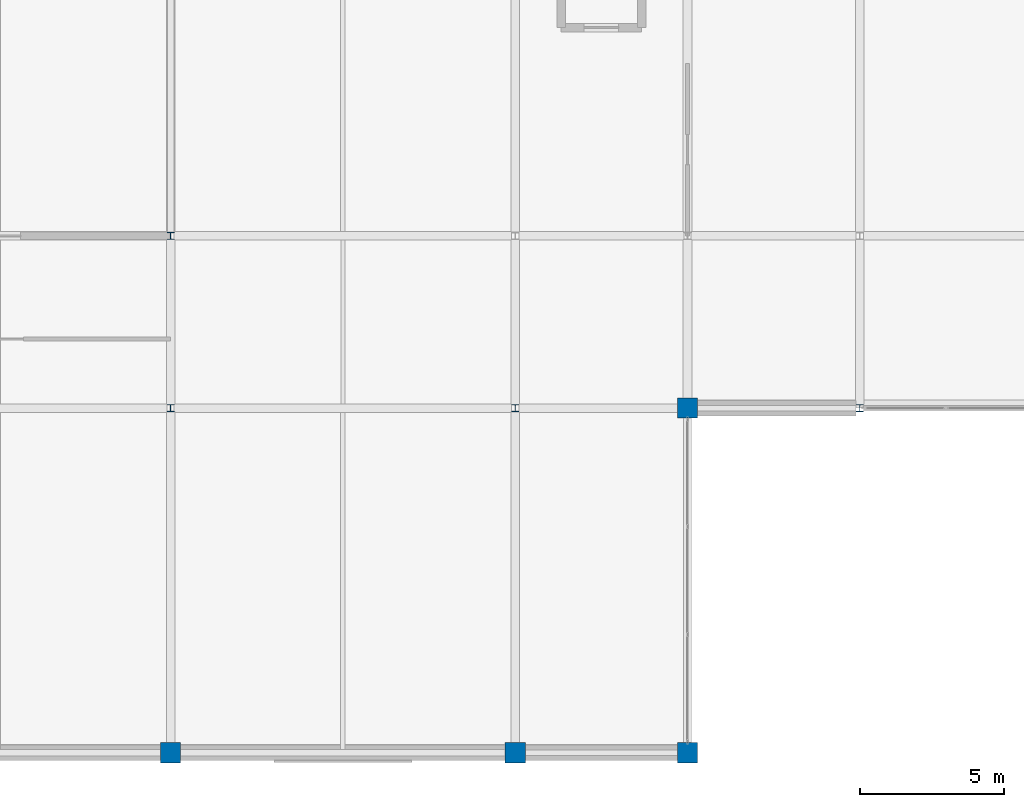
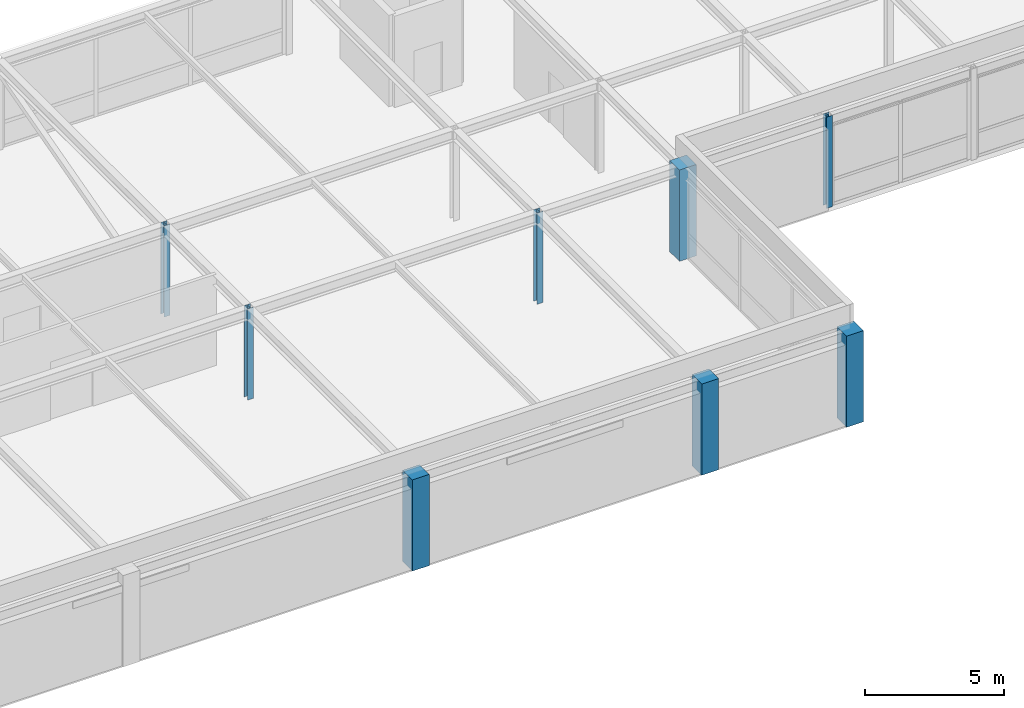
# One storey, part 3 of 111: 8 columns.
"""IFC4 building model written with IfcOpenShell, lengths in metres."""

from ifc_helpers import new_model, si_unit, direction, frame, origin, origin_2d, place, context, subcontext, project, spatial, rectangle, i_section, extrude, material, material_profile, profile_set, type_object, element, save


model = new_model("IFC4")

# Units and contexts
model_context = context("Model", 3, precision=1e-05, world=origin(), true_north=direction((0.0, 1.0)))
body_context = subcontext(model_context, "Body", "Model", "MODEL_VIEW")
ifc_project = project(units=[si_unit("LENGTHUNIT", "METRE"), si_unit("AREAUNIT", "SQUARE_METRE"), si_unit("VOLUMEUNIT", "CUBIC_METRE"), si_unit("PLANEANGLEUNIT", "RADIAN"), si_unit("MASSUNIT", "GRAM", prefix="KILO")], contexts=[model_context])

# Site, building, storey
site_placement = place(None, origin())
site = spatial("IfcSite", under=ifc_project, at=site_placement, CompositionType="ELEMENT")
building_placement = place(site_placement, origin())
building = spatial("IfcBuilding", under=site, at=building_placement, Name="Zlatovratsky Civic Hall", CompositionType="ELEMENT")
storey_placement = place(building_placement, frame((0.0, 0.0, 16.5)))
storey = spatial("IfcBuildingStorey", under=building, at=storey_placement, Name="L04", CompositionType="ELEMENT", Elevation=16.5)

# Columns
ifc_material_1 = material(Name="Concrete C35/45 (B40)", Category="concrete")
ifc_material_profile_1 = material_profile(ifc_material_1, rectangle(XDim=0.699951171875, YDim=0.699951171875, at=origin_2d()), Name="RC 700x700")
ifc_profile_set_1 = profile_set([ifc_material_profile_1], Name="Concrete C35/45 (B40)")
column_type_1 = type_object("IfcColumnType", Name="Col_CorePier_RC700", PredefinedType="COLUMN", material=ifc_profile_set_1)
for number, where, z_axis, x_axis, name in (
    (1, (36.0, 0.0, 0.0), (0.0, 0.0, 1.0), (1.0, 0.0, 0.0), "CL-1555"),
    (2, (48.0, 0.0, 0.0), (0.0, 0.0, 1.0), (1.0, 0.0, 0.0), "CL-1556"),
    (3, (54.0, 0.0, 0.0), (0.0, 0.0, 1.0), (1.0, 0.0, 0.0), "CL-1557"),
    (4, (54.0, 12.0, 0.0), (0.0, 0.0, 1.0), (1.0, 0.0, 0.0), "CL-1571"),
):
    element("IfcColumn", number, at=place(storey_placement, frame(where, z_axis=z_axis, x_axis=x_axis)), inside=storey, type_object=column_type_1, Name=name, PredefinedType="COLUMN", context=body_context, shape_type="SweptSolid", body=[
        extrude(rectangle(XDim=0.699951171875, YDim=0.699951171875, at=origin_2d()), origin(), (0.0, 0.0, 1.0), 4.0),
    ])
ifc_material_2 = material(Name="Steel S355", Category="steel")
ifc_material_profile_2 = material_profile(ifc_material_2, i_section(OverallWidth=0.25, OverallDepth=0.25, WebThickness=0.009033203125, FlangeThickness=0.013916015625, FilletRadius=0.01611328125, at=origin_2d()), Name="25K2")
ifc_profile_set_2 = profile_set([ifc_material_profile_2], Name="Steel S355")
column_type_2 = type_object("IfcColumnType", Name="Col_Steel_25K2", PredefinedType="COLUMN", material=ifc_profile_set_2)
for number, where, z_axis, x_axis, name in (
    (5, (36.0, 12.0, 0.0), (0.0, 0.0, 1.0), (1.0, 0.0, 0.0), "CL-1569"),
    (6, (48.0, 12.0, 0.0), (0.0, 0.0, 1.0), (1.0, 0.0, 0.0), "CL-1570"),
    (7, (60.0, 12.0, 0.0), (0.0, 0.0, 1.0), (1.0, 0.0, 0.0), "CL-1572"),
    (8, (36.0, 18.0, 0.0), (0.0, 0.0, 1.0), (1.0, 0.0, 0.0), "CL-1592"),
):
    element("IfcColumn", number, at=place(storey_placement, frame(where, z_axis=z_axis, x_axis=x_axis)), inside=storey, type_object=column_type_2, Name=name, PredefinedType="COLUMN", context=body_context, shape_type="SweptSolid", body=[
        extrude(i_section(OverallWidth=0.25, OverallDepth=0.25, WebThickness=0.009033203125, FlangeThickness=0.013916015625, FilletRadius=0.01611328125, at=origin_2d()), origin(), (0.0, 0.0, 1.0), 4.0),
    ])

save(model, "model.ifc")
